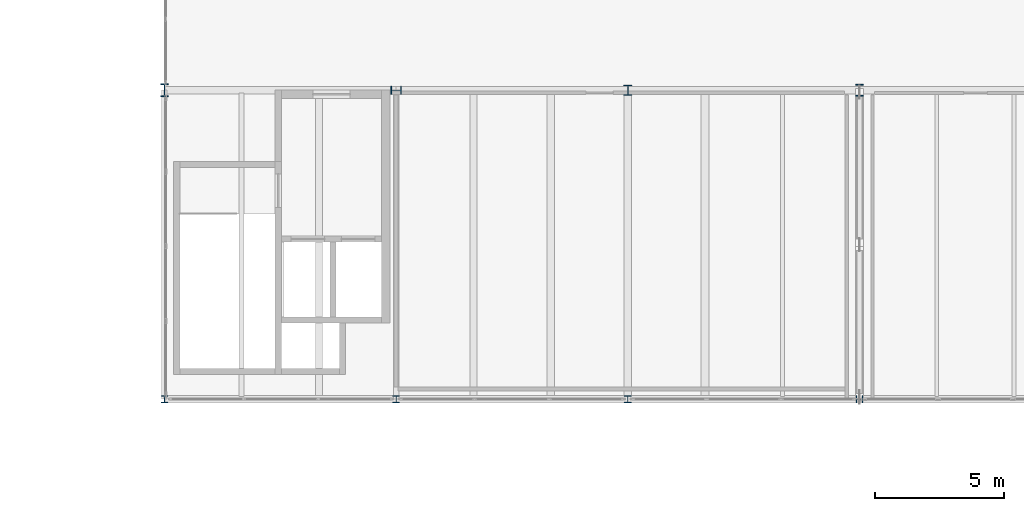
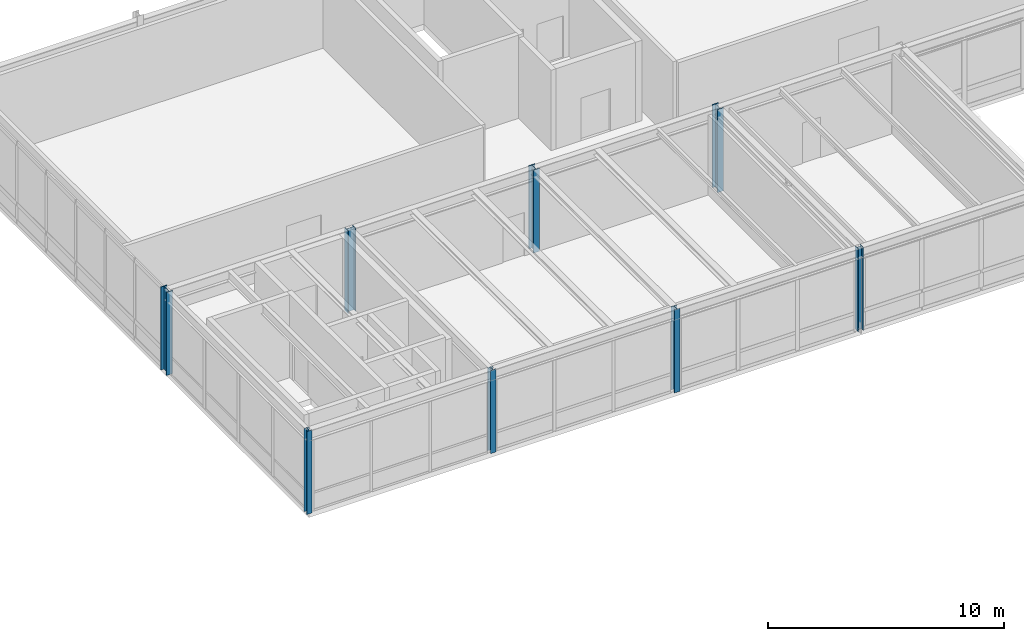
# One storey, part 5 of 67: 8 columns.
"""IFC4 building model written with IfcOpenShell, lengths in metres."""

from ifc_helpers import new_model, si_unit, direction, frame, origin, origin_2d, place, context, subcontext, project, spatial, i_section, extrude, material, material_profile, profile_set, type_object, element, save


model = new_model("IFC4")

# Units and contexts
model_context = context("Model", 3, precision=1e-05, world=origin(), true_north=direction((0.0, 1.0)))
body_context = subcontext(model_context, "Body", "Model", "MODEL_VIEW")
ifc_project = project(units=[si_unit("LENGTHUNIT", "METRE"), si_unit("AREAUNIT", "SQUARE_METRE"), si_unit("VOLUMEUNIT", "CUBIC_METRE"), si_unit("PLANEANGLEUNIT", "RADIAN"), si_unit("MASSUNIT", "GRAM", prefix="KILO")], contexts=[model_context])

# Site, building, storey
site_placement = place(None, origin())
site = spatial("IfcSite", under=ifc_project, at=site_placement, CompositionType="ELEMENT")
building_placement = place(site_placement, origin())
building = spatial("IfcBuilding", under=site, at=building_placement, Name="Montelvaro Courts of Justice", CompositionType="ELEMENT")
storey_placement = place(building_placement, frame((0.0, 0.0, 18.89990234375)))
storey = spatial("IfcBuildingStorey", under=building, at=storey_placement, Name="L04", CompositionType="ELEMENT", Elevation=18.89990234375)

# Columns
ifc_material = material(Name="Steel S355", Category="steel")
ifc_material_profile_1 = material_profile(ifc_material, i_section(OverallWidth=0.260009765625, OverallDepth=0.260009765625, WebThickness=0.010009765625, FlangeThickness=0.017578125, at=origin_2d()), Name="HEB 260")
ifc_profile_set_1 = profile_set([ifc_material_profile_1], Name="Steel S355")
column_type_1 = type_object("IfcColumnType", Name="Col_HEB260", PredefinedType="COLUMN", material=ifc_profile_set_1)
for number, where, z_axis, x_axis, name in (
    (1, (99.0, 66.0, 0.0), (0.0, 0.0, 1.0), (1.0, 0.0, 0.0), "Column C-01 L04 12/F"),
    (2, (108.0, 66.0, 0.0), (0.0, 0.0, 1.0), (1.0, 0.0, 0.0), "Column C-01 L04 13/F"),
    (3, (126.0, 66.0, 0.0), (0.0, 0.0, 1.0), (0.0, 1.0, 0.0), "Column C-01 L04 15/F"),
):
    element("IfcColumn", number, at=place(storey_placement, frame(where, z_axis=z_axis, x_axis=x_axis)), inside=storey, type_object=column_type_1, Name=name, PredefinedType="COLUMN", context=body_context, shape_type="SweptSolid", body=[
        extrude(i_section(OverallWidth=0.260009765625, OverallDepth=0.260009765625, WebThickness=0.010009765625, FlangeThickness=0.017578125, at=origin_2d()), origin(), (0.0, 0.0, 1.0), 4.300048828125),
    ])
ifc_material_profile_2 = material_profile(ifc_material, i_section(OverallWidth=0.280029296875, OverallDepth=0.280029296875, WebThickness=0.010498046875, FlangeThickness=0.01806640625, at=origin_2d()), Name="HEB 280")
ifc_profile_set_2 = profile_set([ifc_material_profile_2], Name="Steel S355")
column_type_2 = type_object("IfcColumnType", Name="Col_HEB280", PredefinedType="COLUMN", material=ifc_profile_set_2)
column_1_placement = place(storey_placement, frame((117.0, 66.0, 0.0), z_axis=(0.0, 0.0, 1.0), x_axis=(1.0, 0.0, 0.0)))
element("IfcColumn", 4, at=column_1_placement, inside=storey, type_object=column_type_2, Name="Column C-02 L04 14/F", PredefinedType="COLUMN", context=body_context, shape_type="SweptSolid", body=[
    extrude(i_section(OverallWidth=0.280029296875, OverallDepth=0.280029296875, WebThickness=0.010498046875, FlangeThickness=0.01806640625, at=origin_2d()), origin(), (0.0, 0.0, 1.0), 4.300048828125),
])
ifc_material_profile_3 = material_profile(ifc_material, i_section(OverallWidth=0.300048828125, OverallDepth=0.39990234375, WebThickness=0.013427734375, FlangeThickness=0.02392578125, at=origin_2d()), Name="HEB 400")
ifc_profile_set_3 = profile_set([ifc_material_profile_3], Name="Steel S355")
column_type_3 = type_object("IfcColumnType", Name="Col_HEB400", PredefinedType="COLUMN", material=ifc_profile_set_3)
for number, where, z_axis, x_axis, name in (
    (5, (108.0, 78.0, 0.0), (0.0, 0.0, 1.0), (0.0, 1.0, 0.0), "Column C-07 L04 13/G"),
    (6, (117.0, 78.0, 0.0), (0.0, 0.0, 1.0), (1.0, 0.0, 0.0), "Column C-07 L04 14/G"),
):
    element("IfcColumn", number, at=place(storey_placement, frame(where, z_axis=z_axis, x_axis=x_axis)), inside=storey, type_object=column_type_3, Name=name, PredefinedType="COLUMN", context=body_context, shape_type="SweptSolid", body=[
        extrude(i_section(OverallWidth=0.300048828125, OverallDepth=0.39990234375, WebThickness=0.013427734375, FlangeThickness=0.02392578125, at=origin_2d()), origin(), (0.0, 0.0, 1.0), 4.300048828125),
    ])
ifc_material_profile_4 = material_profile(ifc_material, i_section(OverallWidth=0.300048828125, OverallDepth=0.449951171875, WebThickness=0.013916015625, FlangeThickness=0.02587890625, at=origin_2d()), Name="HEB 450")
ifc_profile_set_4 = profile_set([ifc_material_profile_4], Name="Steel S355")
column_type_4 = type_object("IfcColumnType", Name="Col_HEB450", PredefinedType="COLUMN", material=ifc_profile_set_4)
column_2_placement = place(storey_placement, frame((126.0, 78.0, 0.0), z_axis=(0.0, 0.0, 1.0), x_axis=(1.0, 0.0, 0.0)))
element("IfcColumn", 7, at=column_2_placement, inside=storey, type_object=column_type_4, Name="Column C-08 L04 15/G", PredefinedType="COLUMN", context=body_context, shape_type="SweptSolid", body=[
    extrude(i_section(OverallWidth=0.300048828125, OverallDepth=0.449951171875, WebThickness=0.013916015625, FlangeThickness=0.02587890625, at=origin_2d()), origin(), (0.0, 0.0, 1.0), 4.300048828125),
])
ifc_material_profile_5 = material_profile(ifc_material, i_section(OverallWidth=0.300048828125, OverallDepth=0.5, WebThickness=0.014404296875, FlangeThickness=0.028076171875, at=origin_2d()), Name="HEB 500")
ifc_profile_set_5 = profile_set([ifc_material_profile_5], Name="Steel S355")
column_type_5 = type_object("IfcColumnType", Name="Col_HEB500", PredefinedType="COLUMN", material=ifc_profile_set_5)
column_3_placement = place(storey_placement, frame((99.0, 78.0, 0.0), z_axis=(0.0, 0.0, 1.0), x_axis=(1.0, 0.0, 0.0)))
element("IfcColumn", 8, at=column_3_placement, inside=storey, type_object=column_type_5, Name="Column C-09 L04 12/G", PredefinedType="COLUMN", context=body_context, shape_type="SweptSolid", body=[
    extrude(i_section(OverallWidth=0.300048828125, OverallDepth=0.5, WebThickness=0.014404296875, FlangeThickness=0.028076171875, at=origin_2d()), origin(), (0.0, 0.0, 1.0), 4.300048828125),
])

save(model, "model.ifc")
